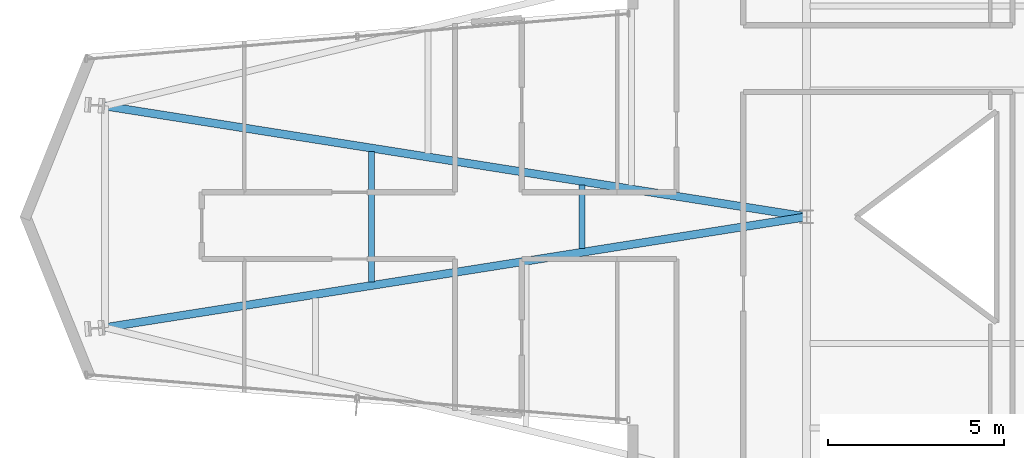
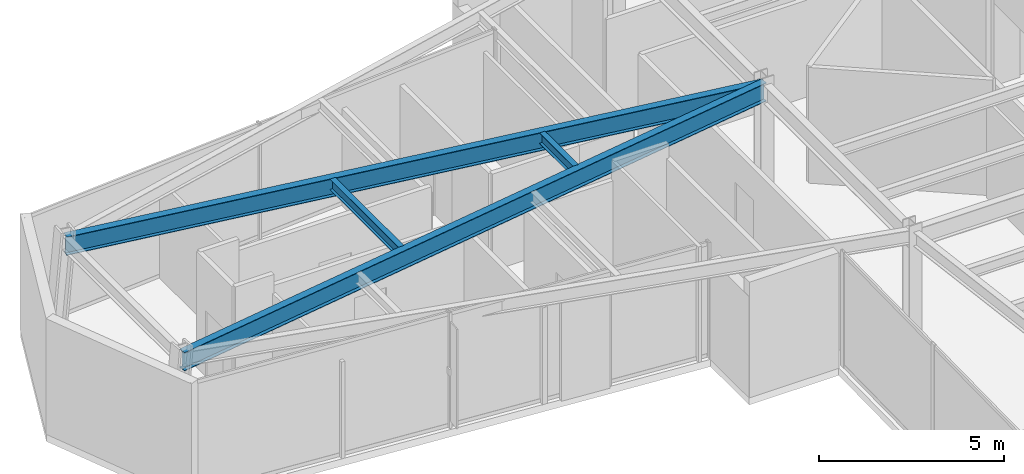
# One storey, part 7 of 25: 4 beams.
"""IFC4 building model written with IfcOpenShell, lengths in metres."""

from ifc_helpers import new_model, si_unit, direction, frame, origin, origin_2d, place, context, subcontext, project, spatial, i_section, extrude, material, material_profile, profile_set, type_object, element, save


model = new_model("IFC4")

# Units and contexts
model_context = context("Model", 3, precision=1e-05, world=origin(), true_north=direction((0.0, 1.0)))
body_context = subcontext(model_context, "Body", "Model", "MODEL_VIEW")
ifc_project = project(units=[si_unit("LENGTHUNIT", "METRE"), si_unit("AREAUNIT", "SQUARE_METRE"), si_unit("VOLUMEUNIT", "CUBIC_METRE"), si_unit("PLANEANGLEUNIT", "RADIAN"), si_unit("MASSUNIT", "GRAM", prefix="KILO")], contexts=[model_context])

# Site, building, storey
site_placement = place(None, origin())
site = spatial("IfcSite", under=ifc_project, at=site_placement, CompositionType="ELEMENT")
building_placement = place(site_placement, origin())
building = spatial("IfcBuilding", under=site, at=building_placement, Name="Veymaron Broadcast Tower", CompositionType="ELEMENT")
storey_placement = place(building_placement, frame((0.0, 0.0, 137.10009765625)))
storey = spatial("IfcBuildingStorey", under=building, at=storey_placement, Name="L31", CompositionType="ELEMENT", Elevation=137.10009765625)

# Beams
ifc_material = material(Name="Structural steel ASTM A992 Gr 50", Category="steel")
ifc_material_profile_1 = material_profile(ifc_material, i_section(OverallWidth=0.22802734375, OverallDepth=0.60791015625, WebThickness=0.01123046875, FlangeThickness=0.017333984375, at=origin_2d()), Name="W610X113")
ifc_profile_set_1 = profile_set([ifc_material_profile_1], Name="Structural steel ASTM A992 Gr 50")
beam_type_1 = type_object("IfcBeamType", Name="BM-FG2", PredefinedType="BEAM", material=ifc_profile_set_1)
for number, where, z_axis, x_axis, name in (
    (1, (11.25, 20.85009765625, 3.505859375), (0.98776365139, 0.155958228358, 0.0), (-0.155958228358, 0.98776365139, 0.0), "L31 primary structural floor girder"),
    (2, (11.25, 27.14990234375, 3.505859375), (0.98776365139, -0.155958228358, 0.0), (0.155958228358, 0.98776365139, 0.0), "L31 primary structural floor girder"),
):
    element("IfcBeam", number, at=place(storey_placement, frame(where, z_axis=z_axis, x_axis=x_axis)), inside=storey, type_object=beam_type_1, Name=name, PredefinedType="BEAM", context=body_context, shape_type="SweptSolid", body=[
        extrude(i_section(OverallWidth=0.22802734375, OverallDepth=0.60791015625, WebThickness=0.01123046875, FlangeThickness=0.017333984375, at=origin_2d()), origin(), (0.0, 0.0, 1.0), 20.197021484375),
    ])
ifc_material_profile_2 = material_profile(ifc_material, i_section(OverallWidth=0.1708984375, OverallDepth=0.35498046875, WebThickness=0.007080078125, FlangeThickness=0.01171875, at=origin_2d()), Name="W360X51")
ifc_profile_set_2 = profile_set([ifc_material_profile_2], Name="Structural steel ASTM A992 Gr 50")
beam_type_2 = type_object("IfcBeamType", Name="BM-JS2", PredefinedType="JOIST", material=ifc_profile_set_2)
beam_1_placement = place(storey_placement, frame((18.8310546875, 22.14697265625, 3.63232421875), z_axis=(0.0, 1.0, 0.0), x_axis=(-1.0, 0.0, 0.0)))
element("IfcBeam", 3, at=beam_1_placement, inside=storey, type_object=beam_type_2, Name="L31 Arm-A secondary joist 1M", PredefinedType="JOIST", context=body_context, shape_type="SweptSolid", body=[
    extrude(i_section(OverallWidth=0.1708984375, OverallDepth=0.35498046875, WebThickness=0.007080078125, FlangeThickness=0.01171875, at=origin_2d()), origin(), (0.0, 0.0, 1.0), 3.7060546875),
])
beam_2_placement = place(storey_placement, frame((24.81591796875, 23.092041015625, 3.63232421875), z_axis=(0.0, 1.0, 0.0), x_axis=(-1.0, 0.0, 0.0)))
element("IfcBeam", 4, at=beam_2_placement, inside=storey, type_object=beam_type_2, Name="L31 Arm-A secondary joist 2M", PredefinedType="JOIST", context=body_context, shape_type="SweptSolid", body=[
    extrude(i_section(OverallWidth=0.1708984375, OverallDepth=0.35498046875, WebThickness=0.007080078125, FlangeThickness=0.01171875, at=origin_2d()), origin(), (0.0, 0.0, 1.0), 1.81591796875),
])

save(model, "model.ifc")
